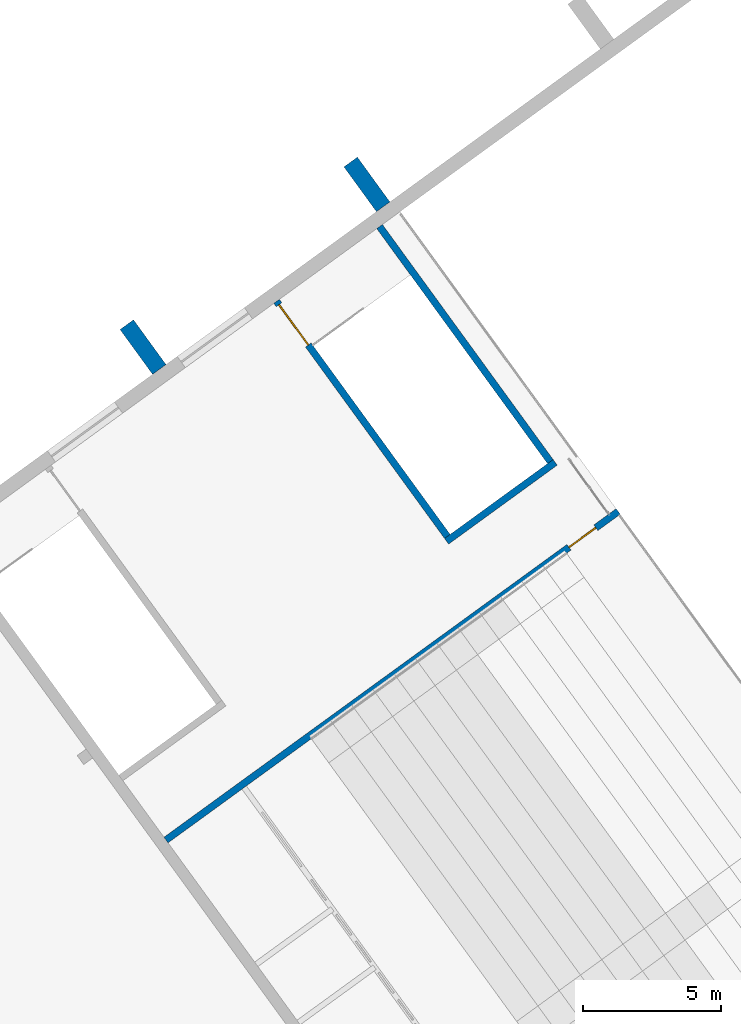
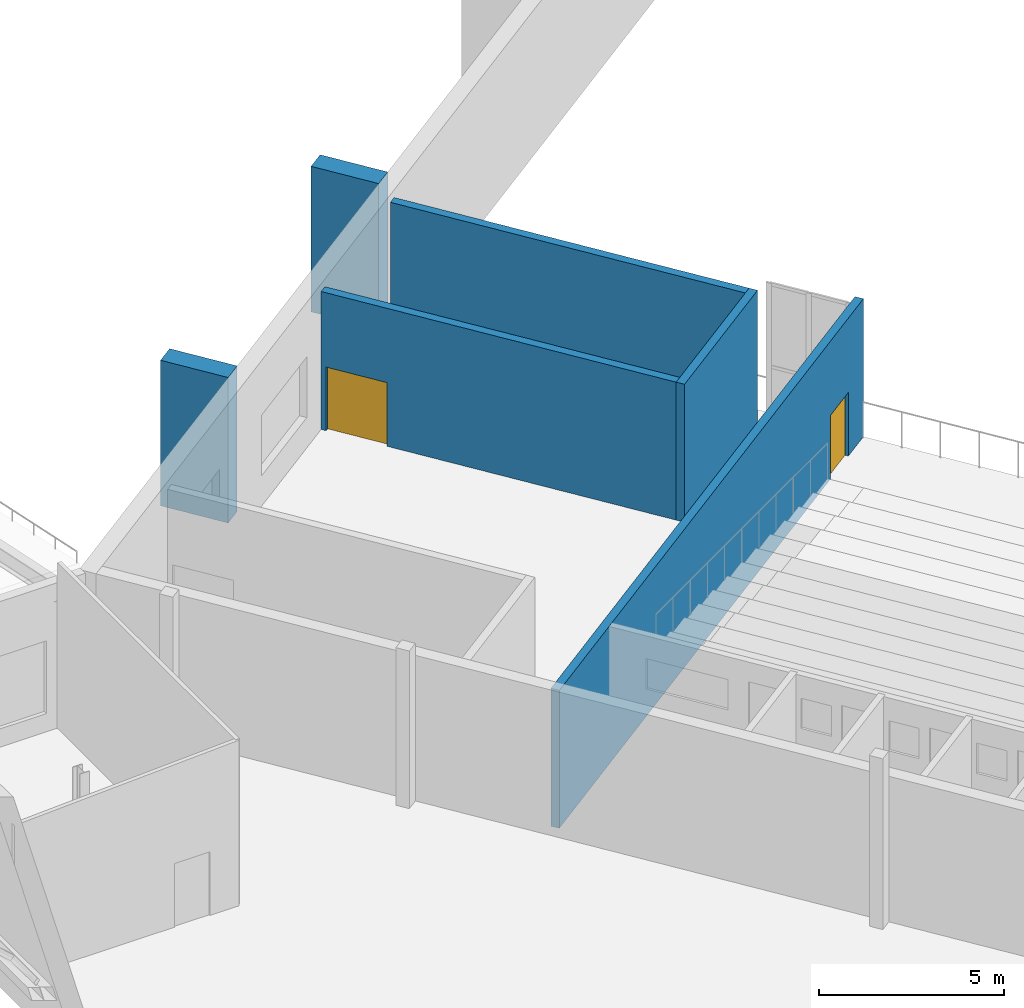
# One storey, part 145 of 182: 6 walls, 2 doors, 2 openings.
"""IFC4 building model written with IfcOpenShell, lengths in metres."""

from ifc_helpers import new_model, si_unit, direction, frame, frame_2d, origin, place, context, subcontext, project, spatial, rectangle, extrude, material, layer, layer_set, type_object, element, fill, save


model = new_model("IFC4")

# Units and contexts
model_context = context("Model", 3, precision=1e-05, world=origin(), true_north=direction((0.0, 1.0)))
body_context = subcontext(model_context, "Body", "Model", "MODEL_VIEW")
ifc_project = project(units=[si_unit("LENGTHUNIT", "METRE"), si_unit("AREAUNIT", "SQUARE_METRE"), si_unit("VOLUMEUNIT", "CUBIC_METRE"), si_unit("PLANEANGLEUNIT", "RADIAN"), si_unit("MASSUNIT", "GRAM", prefix="KILO")], contexts=[model_context])

# Site, building, storey
site_placement = place(None, origin())
site = spatial("IfcSite", under=ifc_project, at=site_placement, CompositionType="ELEMENT")
building_placement = place(site_placement, origin())
building = spatial("IfcBuilding", under=site, at=building_placement, Name="Okhra Congress Centre", CompositionType="ELEMENT")
storey_placement = place(building_placement, frame((0.0, 0.0, 7.199951171875)))
storey = spatial("IfcBuildingStorey", under=building, at=storey_placement, Name="L01", CompositionType="ELEMENT", Elevation=7.199951171875)

# Walls
ifc_material_1 = material(Name="Concrete C35/45", Category="concrete")
ifc_layer_1 = layer(ifc_material_1, 0.60009765625)
ifc_layer_set_1 = layer_set([ifc_layer_1], Name="Buttress fin 600 R 120 C35/45")
wall_type_1 = type_object("IfcWallType", Name="Buttress fin 600 R 120 C35/45", PredefinedType="SOLIDWALL", material=ifc_layer_set_1)
for number, where, z_axis, x_axis, name in (
    (1, (206.013427734375, 205.8759765625, 0.0), (0.0, 0.0, 1.0), (-0.587881334972, 0.808947177504, 0.0), "Buttress fin N -20 L01"),
    (2, (214.103515625, 211.753662109375, 0.0), (0.0, 0.0, 1.0), (-0.587743397701, 0.809047401861, 0.0), "Buttress fin N -10 L01"),
):
    element("IfcWall", number, at=place(storey_placement, frame(where, z_axis=z_axis, x_axis=x_axis)), inside=storey, type_object=wall_type_1, Name=name, PredefinedType="SOLIDWALL", context=body_context, shape_type="SweptSolid", body=[
        extrude(rectangle(XDim=2.0, YDim=0.60009765625, at=frame_2d((1.0, 0.0))), origin(), (0.0, 0.0, 1.0), 4.800048828125),
    ])

# Wall, opening, door
ifc_layer_2 = layer(ifc_material_1, 0.25)
ifc_layer_set_2 = layer_set([ifc_layer_2], Name="RC stair cell wall 250 REI 120 C35/45")
wall_type_2 = type_object("IfcWallType", Name="RC stair cell wall 250 REI 120 C35/45", PredefinedType="SOLIDWALL", material=ifc_layer_set_2)
wall_1_placement = place(storey_placement, frame((210.251220703125, 208.3369140625, 0.0), z_axis=(0.0, 0.0, 1.0), x_axis=(0.587775969834, -0.809023738395, 0.0)))
wall_1 = element("IfcWall", 3, at=wall_1_placement, inside=storey, type_object=wall_type_2, Name="Escape stair 4 wall W L01", PredefinedType="SOLIDWALL", context=body_context, shape_type="SweptSolid", body=[
    extrude(rectangle(XDim=10.75, YDim=0.25, at=frame_2d((5.375, 0.0))), origin(), (0.0, 0.0, 1.0), 4.550048828125),
])
opening_1_placement = place(wall_1_placement, frame((0.14990234375, 0.0, 0.0)))
opening_1 = element("IfcOpeningElement", 4, at=opening_1_placement, cuts=wall_1, Name="Opening L01-080", PredefinedType="OPENING", context=body_context, shape_type="SweptSolid", body=[
    extrude(rectangle(XDim=1.800048828125, YDim=2.10009765625, at=frame_2d((0.89990234375, 1.050048828125))), frame((0.0, 0.135009765625, 0.0), z_axis=(0.0, -1.0, 0.0), x_axis=(1.0, 0.0, 0.0)), (0.0, 0.0, 1.0), 0.27001953125),
])
ifc_material_2 = material(Name="Steel fire door leaves in steel frame, intumescent seals", Category="steel")
door_type_1 = type_object("IfcDoorType", Name="Steel fire door pair 1800x2100 EI 30", OperationType="NOTDEFINED", PredefinedType="DOOR", material=ifc_material_2)
door_1_placement = place(opening_1_placement, frame((1.800048828125, 0.0, 0.0), z_axis=(0.0, 0.0, 1.0), x_axis=(-1.0, 0.0, 0.0)))
door_1 = element("IfcDoor", 5, at=door_1_placement, inside=storey, type_object=door_type_1, Name="Door L01-080", OperationType="DOUBLE_DOOR_SINGLE_SWING", OverallHeight=2.10009765625, OverallWidth=1.800048828125, PredefinedType="DOOR", context=body_context, shape_type="SweptSolid", body=[
    extrude(rectangle(XDim=1.800048828125, YDim=2.10009765625, at=frame_2d((0.89990234375, 1.050048828125))), frame((0.0, 0.02490234375, 0.0), z_axis=(0.0, -1.0, 0.0), x_axis=(1.0, 0.0, 0.0)), (0.0, 0.0, 1.0), 0.050048828125),
])
fill(opening_1, door_1)

# Walls
wall_2_placement = place(storey_placement, frame((213.97265625, 211.040771484375, 0.0), z_axis=(0.0, 0.0, 1.0), x_axis=(0.587775969834, -0.809023738395, 0.0)))
element("IfcWall", 6, at=wall_2_placement, inside=storey, type_object=wall_type_2, Name="Escape stair 4 wall E L01", PredefinedType="SOLIDWALL", context=body_context, shape_type="SweptSolid", body=[
    extrude(rectangle(XDim=10.75, YDim=0.25, at=frame_2d((5.375, 0.0))), origin(), (0.0, 0.0, 1.0), 4.550048828125),
])
wall_3_placement = place(storey_placement, frame((216.395263671875, 199.66748046875, 0.0), z_axis=(0.0, 0.0, 1.0), x_axis=(0.809016791155, 0.587785532001, 0.0)))
element("IfcWall", 7, at=wall_3_placement, inside=storey, type_object=wall_type_2, Name="Escape stair 4 wall F L01", PredefinedType="SOLIDWALL", context=body_context, shape_type="SweptSolid", body=[
    extrude(rectangle(XDim=4.85009765625, YDim=0.25, at=frame_2d((2.425048828125, 0.0))), origin(), (0.0, 0.0, 1.0), 4.550048828125),
])

# Wall, opening, door
ifc_material_3 = material(Name="Concrete C30/37", Category="concrete")
ifc_layer_3 = layer(ifc_material_3, 0.25)
ifc_layer_set_3 = layer_set([ifc_layer_3], Name="RC wall 250 REI 120 C30/37")
wall_type_3 = type_object("IfcWallType", Name="RC wall 250 REI 120 C30/37", PredefinedType="SOLIDWALL", material=ifc_layer_set_3)
wall_4_placement = place(storey_placement, frame((206.255126953125, 188.870361328125, 0.0), z_axis=(0.0, 0.0, 1.0), x_axis=(0.809018740047, 0.587782849573, 0.0)))
wall_4 = element("IfcWall", 8, at=wall_4_placement, inside=storey, type_object=wall_type_3, Name="Lounge wall N", PredefinedType="SOLIDWALL", context=body_context, shape_type="SweptSolid", body=[
    extrude(rectangle(XDim=20.2001953125, YDim=0.25, at=frame_2d((10.10009765625, 0.0))), origin(), (0.0, 0.0, 1.0), 4.550048828125),
])
opening_2_placement = place(wall_4_placement, frame((18.0, 0.0, 0.0)))
opening_2 = element("IfcOpeningElement", 9, at=opening_2_placement, cuts=wall_4, Name="Opening L01-096", PredefinedType="OPENING", context=body_context, shape_type="SweptSolid", body=[
    extrude(rectangle(XDim=1.199951171875, YDim=2.10009765625, at=frame_2d((0.60009765625, 1.050048828125))), frame((0.0, 0.135009765625, 0.0), z_axis=(0.0, -1.0, 0.0), x_axis=(1.0, 0.0, 0.0)), (0.0, 0.0, 1.0), 0.27001953125),
])
ifc_material_4 = material(Name="Timber door leaf in steel frame", Category="steel")
door_type_2 = type_object("IfcDoorType", Name="Single swing door 1200x2100", OperationType="NOTDEFINED", PredefinedType="DOOR", material=ifc_material_4)
door_2_placement = place(opening_2_placement, frame((1.199951171875, 0.0, 0.0), z_axis=(0.0, 0.0, 1.0), x_axis=(-1.0, 0.0, 0.0)))
door_2 = element("IfcDoor", 10, at=door_2_placement, inside=storey, type_object=door_type_2, Name="Door L01-096", OperationType="SINGLE_SWING_RIGHT", OverallHeight=2.10009765625, OverallWidth=1.199951171875, PredefinedType="DOOR", context=body_context, shape_type="SweptSolid", body=[
    extrude(rectangle(XDim=1.199951171875, YDim=2.10009765625, at=frame_2d((0.60009765625, 1.050048828125))), frame((0.0, 0.02490234375, 0.0), z_axis=(0.0, -1.0, 0.0), x_axis=(1.0, 0.0, 0.0)), (0.0, 0.0, 1.0), 0.050048828125),
])
fill(opening_2, door_2)

save(model, "model.ifc")
